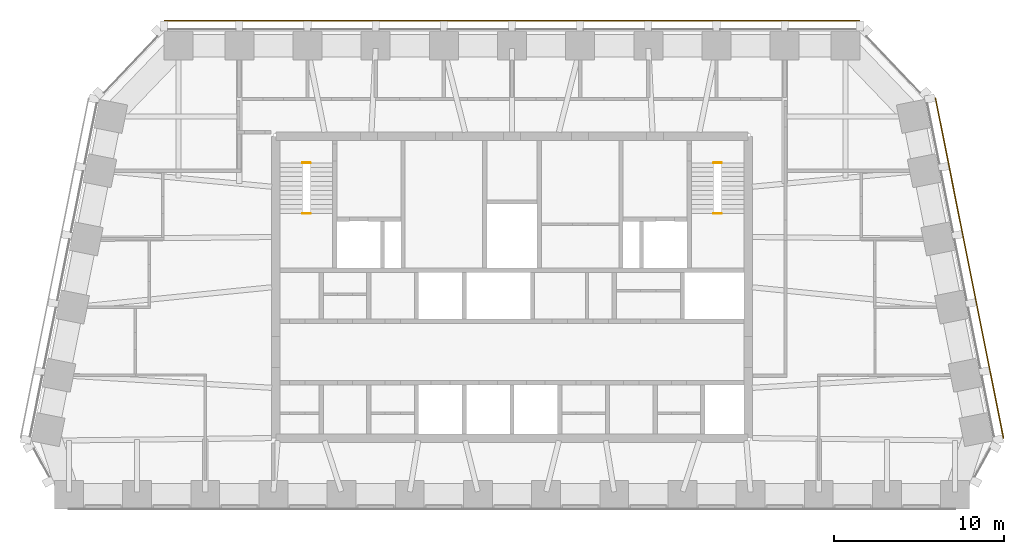
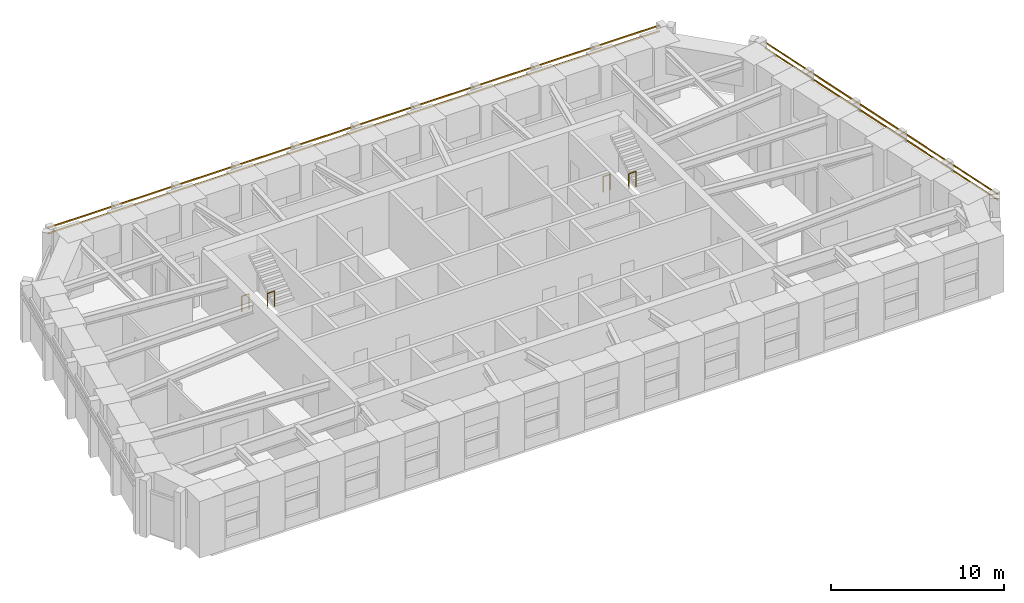
# One storey, part 9 of 9: 4 railings, 4 shading devices.
"""IFC4 building model written with IfcOpenShell, lengths in metres."""

import ifcopenshell
import ifcopenshell.guid

model = None  # the IFC model being written
_history = None  # IfcOwnerHistory: only IFC2X3 demands one
_inside = {}  # id of a spatial element -> (the spatial element, [elements in it])
_under = {}  # id of a project, library or spatial element -> (it, [spatial elements below it])
_declared = {}  # id of a project -> (the project, [libraries it declares])
_typed = {}  # id of a type object -> (the type object, [elements of that type])
_made_of = {}  # id of a material, layer set ... -> (it, [elements and type objects made of it])


def new_model(schema):
    """Start an empty IFC model of exactly this schema.

    Asked for "IFC4X3", IfcOpenShell would pick the latest addendum, in which some entities
    have other attributes; the version numbers below select the first issue.
    IFC2X3 requires an IfcOwnerHistory on every rooted entity: one is made here for all.
    """
    global model, _history
    if schema == "IFC4X3":
        model = ifcopenshell.file(schema_version=(4, 3, 0, 0))
    else:
        model = ifcopenshell.file(schema=schema)
    _inside.clear()
    _under.clear()
    _declared.clear()
    _typed.clear()
    _made_of.clear()
    _history = None
    if model.schema == "IFC2X3":
        org = make("IfcOrganization", Name="unknown")
        user = make(
            "IfcPersonAndOrganization",
            ThePerson=make("IfcPerson", FamilyName="unknown"),
            TheOrganization=org,
        )
        app = make(
            "IfcApplication",
            ApplicationDeveloper=org,
            Version="unknown",
            ApplicationFullName="unknown",
            ApplicationIdentifier="unknown",
        )
        _history = make(
            "IfcOwnerHistory",
            OwningUser=user,
            OwningApplication=app,
            ChangeAction="ADDED",
            CreationDate=0,
        )
    return model


def make(cls, **values):
    """One entity of the class cls with the attributes given. An attribute that is None is left unset."""
    return model.create_entity(
        cls, **{name: value for name, value in values.items() if value is not None}
    )


def rooted(cls, **values):
    """An entity with a GlobalId (a new one), such as an element, a storey or a relation."""
    return make(cls, GlobalId=ifcopenshell.guid.new(), OwnerHistory=_history, **values)


def si_unit(unit_type, name, prefix=None):
    """IfcSIUnit, for example si_unit("LENGTHUNIT", "METRE", prefix="MILLI")."""
    return make("IfcSIUnit", UnitType=unit_type, Prefix=prefix, Name=name)


def assignment(units):
    """IfcUnitAssignment: the units of a project."""
    return None if units is None else make("IfcUnitAssignment", Units=units)


def point(xyz):
    """IfcCartesianPoint."""
    return None if xyz is None else make("IfcCartesianPoint", Coordinates=xyz)


def direction(xyz):
    """IfcDirection."""
    return None if xyz is None else make("IfcDirection", DirectionRatios=xyz)


def frame(location, z_axis=None, x_axis=None):
    """IfcAxis2Placement3D, a coordinate frame: its origin and axes. An axis left out is left unset."""
    return make(
        "IfcAxis2Placement3D",
        Location=point(location),
        Axis=direction(z_axis),
        RefDirection=direction(x_axis),
    )


def frame_2d(location, x_axis=None):
    """IfcAxis2Placement2D, a coordinate frame in the plane: its origin and x axis."""
    return make(
        "IfcAxis2Placement2D", Location=point(location), RefDirection=direction(x_axis)
    )


def origin():
    """The frame at (0, 0, 0) with its axes left unset."""
    return frame((0.0, 0.0, 0.0))


def origin_2d():
    """The frame at (0, 0) in the plane with its x axis left unset."""
    return frame_2d((0.0, 0.0))


def place(relative_to, where):
    """IfcLocalPlacement: puts the frame where relative to a parent placement (None: the world)."""
    return make(
        "IfcLocalPlacement", PlacementRelTo=relative_to, RelativePlacement=where
    )


def context(
    kind, dimensions, precision=None, world=None, true_north=None, identifier=None
):
    """IfcGeometricRepresentationContext, for example the 3D "Model" context."""
    return make(
        "IfcGeometricRepresentationContext",
        ContextIdentifier=identifier,
        ContextType=kind,
        CoordinateSpaceDimension=dimensions,
        Precision=precision,
        WorldCoordinateSystem=world,
        TrueNorth=true_north,
    )


def subcontext(parent, identifier, kind, view, scale=None):
    """IfcGeometricRepresentationSubContext, for example "Body" below "Model"."""
    return make(
        "IfcGeometricRepresentationSubContext",
        ContextIdentifier=identifier,
        ContextType=kind,
        ParentContext=parent,
        TargetScale=scale,
        TargetView=view,
    )


def project(units=None, contexts=None):
    """IfcProject with its units and contexts."""
    return rooted(
        "IfcProject",
        Name="project",
        RepresentationContexts=contexts,
        UnitsInContext=assignment(units),
    )


def spatial(cls, under=None, at=None, **own):
    """A site, building, storey or space (cls), placed at a placement, below another one or the project."""
    s = rooted(cls, ObjectPlacement=at, **own)
    if under is not None:
        _under.setdefault(under.id(), (under, []))[1].append(s)
    return s


def profile(cls, at=None, kind="AREA", **sizes):
    """A parametric profile (cls). Its sizes go by their IFC names, for example OverallWidth=200.0."""
    return make(cls, ProfileType=kind, Position=at, **sizes)


def rectangle(**sizes):
    """IfcRectangleProfileDef."""
    return profile("IfcRectangleProfileDef", **sizes)


def circle(**sizes):
    """IfcCircleProfileDef."""
    return profile("IfcCircleProfileDef", **sizes)


def extrude(swept, where, along, depth):
    """IfcExtrudedAreaSolid: the profile swept, set in the frame where, extruded along a direction by depth."""
    return make(
        "IfcExtrudedAreaSolid",
        SweptArea=swept,
        Position=where,
        ExtrudedDirection=direction(along),
        Depth=depth,
    )


def shape(context_of_items, identifier, shape_type, items):
    """IfcShapeRepresentation: the items that make up one representation, for example the "Body"."""
    return make(
        "IfcShapeRepresentation",
        ContextOfItems=context_of_items,
        RepresentationIdentifier=identifier,
        RepresentationType=shape_type,
        Items=items,
    )


def material(Name=None, Category=None):
    """IfcMaterial."""
    return make("IfcMaterial", Name=Name, Category=Category)


def material_profile(
    of_material, cross_section, Name=None, Category=None, Priority=None
):
    """IfcMaterialProfile: a cross section and its material."""
    return make(
        "IfcMaterialProfile",
        Name=Name,
        Material=of_material,
        Profile=cross_section,
        Priority=Priority,
        Category=Category,
    )


def profile_set(profiles, Name=None, composite=None):
    """IfcMaterialProfileSet."""
    return make(
        "IfcMaterialProfileSet",
        Name=Name,
        MaterialProfiles=profiles,
        CompositeProfile=composite,
    )


def made_of(thing, what):
    """Note that an element or type object is made of a material, layer set ...; save() writes the relation."""
    if what is not None:
        _made_of.setdefault(what.id(), (what, []))[1].append(thing)
    return thing


def type_object(cls, material=None, **own):
    """A type object (cls), such as IfcWallType, which elements share."""
    return made_of(rooted(cls, **own), material)


def element(
    cls,
    number,
    at=None,
    inside=None,
    cuts=None,
    type_object=None,
    material=None,
    context=None,
    identifier="Body",
    shape_type=None,
    held_by="IfcProductDefinitionShape",
    body=None,
    shapes=None,
    **own,
):
    """One element of the class cls, such as IfcWall. Its Tag is "e" and its number.

    at: its placement. inside: the storey or other place that contains it. cuts: it is an
    opening in that element (IfcRelVoidsElement). A single representation is given by context,
    identifier, shape_type and body (its items); several are given by shapes. held_by: the class
    of the entity that holds the representations. save() writes the other relations.
    """
    e = rooted(cls, Tag="e%d" % number, ObjectPlacement=at, **own)
    if body is not None:
        shapes = [shape(context, identifier, shape_type, body)]
    if shapes is not None:
        e.Representation = make(held_by, Representations=shapes)
    if inside is not None:
        _inside.setdefault(inside.id(), (inside, []))[1].append(e)
    if cuts is not None:
        rooted(
            "IfcRelVoidsElement", RelatingBuildingElement=cuts, RelatedOpeningElement=e
        )
    if type_object is not None:
        _typed.setdefault(type_object.id(), (type_object, []))[1].append(e)
    return made_of(e, material)


def aggregate(whole, parts):
    """IfcRelAggregates: a whole, such as a stair, and the parts it consists of."""
    return rooted("IfcRelAggregates", RelatingObject=whole, RelatedObjects=parts)


def save(model, path):
    """Write the relations noted so far, then the file.

    IfcRelAggregates (storeys below a building ...), IfcRelContainedInSpatialStructure (elements
    in a storey), IfcRelDefinesByType, IfcRelAssociatesMaterial and IfcRelDeclares: one each for
    every whole, place, type object, material and project.
    """
    for whole, parts in _under.values():
        aggregate(whole, parts)
    for where, things in _inside.values():
        rooted(
            "IfcRelContainedInSpatialStructure",
            RelatedElements=things,
            RelatingStructure=where,
        )
    for kind, things in _typed.values():
        rooted("IfcRelDefinesByType", RelatedObjects=things, RelatingType=kind)
    for what, things in _made_of.values():
        rooted("IfcRelAssociatesMaterial", RelatedObjects=things, RelatingMaterial=what)
    for by, libraries in _declared.values():
        rooted("IfcRelDeclares", RelatingContext=by, RelatedDefinitions=libraries)
    model.write(path)


model = new_model("IFC4")

# Units and contexts
model_context = context("Model", 3, precision=1e-05, world=origin(), true_north=direction((0.0, 1.0)))
body_context = subcontext(model_context, "Body", "Model", "MODEL_VIEW")
ifc_project = project(units=[si_unit("LENGTHUNIT", "METRE"), si_unit("AREAUNIT", "SQUARE_METRE"), si_unit("VOLUMEUNIT", "CUBIC_METRE"), si_unit("PLANEANGLEUNIT", "RADIAN"), si_unit("MASSUNIT", "GRAM", prefix="KILO")], contexts=[model_context])

# Site, building, storey
site_placement = place(None, origin())
site = spatial("IfcSite", under=ifc_project, at=site_placement, CompositionType="ELEMENT")
building_placement = place(site_placement, origin())
building = spatial("IfcBuilding", under=site, at=building_placement, Name="Isbrekke Arena Tower", CompositionType="ELEMENT")
storey_placement = place(building_placement, frame((0.0, 0.0, 312.0)))
storey = spatial("IfcBuildingStorey", under=building, at=storey_placement, Name="L73", CompositionType="ELEMENT", Elevation=312.0)

# Shading devices
ifc_material_1 = material(Name="Terracotta", Category="masonry")
ifc_material_profile = material_profile(ifc_material_1, rectangle(XDim=0.06005859375, YDim=0.06005859375, at=origin_2d()), Name="BAGUETTE 60X60")
ifc_profile_set = profile_set([ifc_material_profile], Name="Terracotta")
shading_device_type = type_object("IfcShadingDeviceType", Name="BG1 TERRACOTTA BAGUETTE 60 x 60", PredefinedType="USERDEFINED", material=ifc_profile_set)
for number, where, z_axis, x_axis, name in (
    (1, (28.84228515625, 6.12841796875, 3.280029296875), (-0.196116135138, 0.980580675691, 0.0), (-0.980580675691, -0.196116135138, 0.0), "BG1 terracotta baguette E1 L73"),
    (2, (28.84228515625, 6.12841796875, 3.679931640625), (-0.196116135138, 0.980580675691, 0.0), (-0.980580675691, -0.196116135138, 0.0), "BG1 terracotta baguette E2 L73"),
):
    element("IfcShadingDevice", number, at=place(storey_placement, frame(where, z_axis=z_axis, x_axis=x_axis)), inside=storey, type_object=shading_device_type, Name=name, ObjectType="TERRACOTTA BAGUETTE", PredefinedType="USERDEFINED", context=body_context, shape_type="SweptSolid", body=[
        extrude(rectangle(XDim=0.06005859375, YDim=0.06005859375, at=origin_2d()), origin(), (0.0, 0.0, 1.0), 20.39599609375),
    ])
for number, where, z_axis, x_axis, name in (
    (3, (20.39990234375, 30.655029296875, 3.280029296875), (-1.0, 0.0, 0.0), (0.0, -1.0, 0.0), "BG1 terracotta baguette N1 L73"),
    (4, (20.39990234375, 30.655029296875, 3.679931640625), (-1.0, 0.0, 0.0), (0.0, -1.0, 0.0), "BG1 terracotta baguette N2 L73"),
):
    element("IfcShadingDevice", number, at=place(storey_placement, frame(where, z_axis=z_axis, x_axis=x_axis)), inside=storey, type_object=shading_device_type, Name=name, ObjectType="TERRACOTTA BAGUETTE", PredefinedType="USERDEFINED", context=body_context, shape_type="SweptSolid", body=[
        extrude(rectangle(XDim=0.06005859375, YDim=0.06005859375, at=origin_2d()), origin(), (0.0, 0.0, 1.0), 40.7998046875),
    ])

# Railings
ifc_material_2 = material(Name="Steel stair guard, vertical bars, steel handrail", Category="steel")
railing_type = type_object("IfcRailingType", Name="GR3 STAIR WELL GUARD 1100", PredefinedType="GUARDRAIL", material=ifc_material_2)
for number, where, name in (
    (5, (-12.300048828125, 22.300048828125, 0.0), "GR3 stair well guard ST1 L73"),
    (6, (-12.300048828125, 19.330078125, 2.0), "GR3 stair well guard ST1 L73"),
    (7, (11.824951171875, 22.300048828125, 0.0), "GR3 stair well guard ST2 L73"),
    (8, (11.824951171875, 19.330078125, 2.0), "GR3 stair well guard ST2 L73"),
):
    element("IfcRailing", number, at=place(storey_placement, frame(where)), inside=storey, type_object=railing_type, Name=name, PredefinedType="GUARDRAIL", context=body_context, shape_type="SweptSolid", body=[
        extrude(circle(Radius=0.02392578125, at=origin_2d()), frame((0.0, 0.0, 1.076171875), z_axis=(1.0, 0.0, 0.0), x_axis=(0.0, 1.0, 0.0)), (0.0, 0.0, 1.0), 0.47509765625),
        extrude(circle(Radius=0.02099609375, at=origin_2d()), origin(), (0.0, 0.0, 1.0), 1.052001953125),
        extrude(circle(Radius=0.02099609375, at=origin_2d()), frame((0.47509765625, 0.0, 0.0)), (0.0, 0.0, 1.0), 1.052001953125),
    ])

save(model, "model.ifc")
